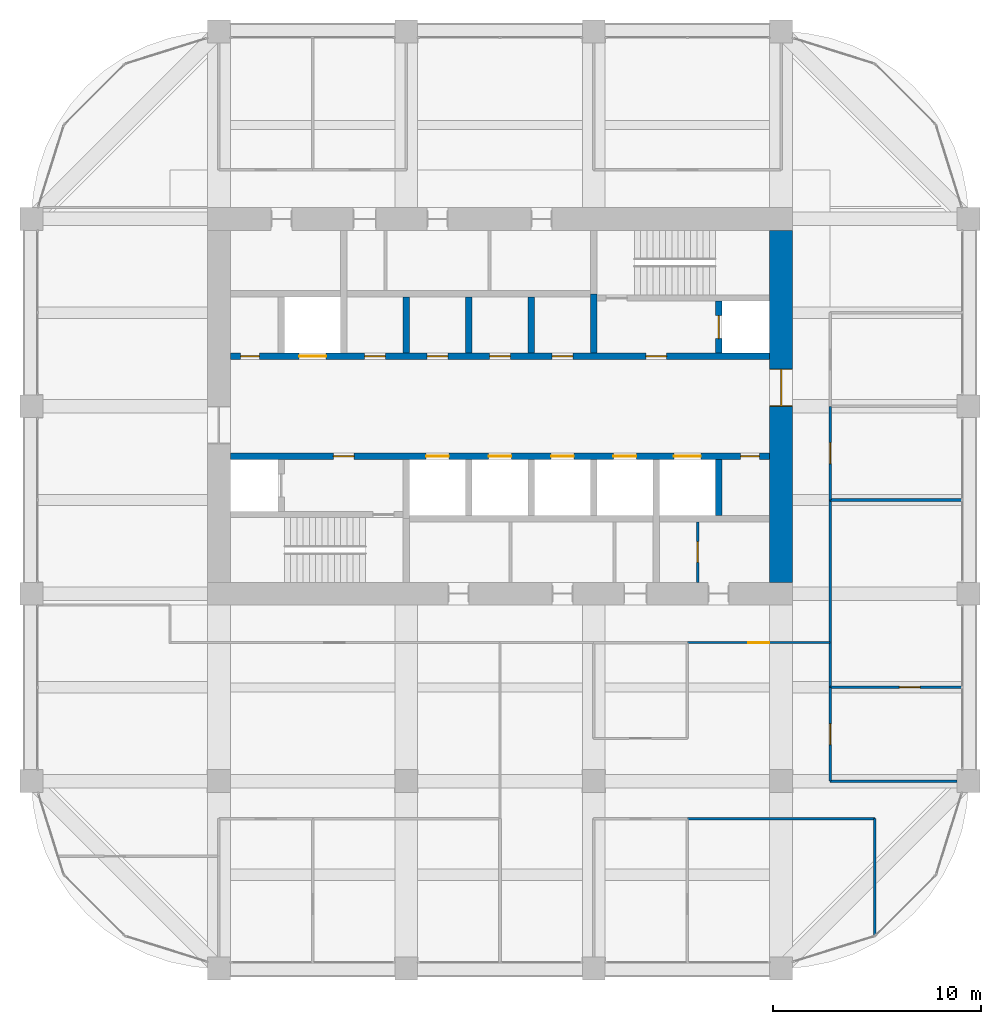
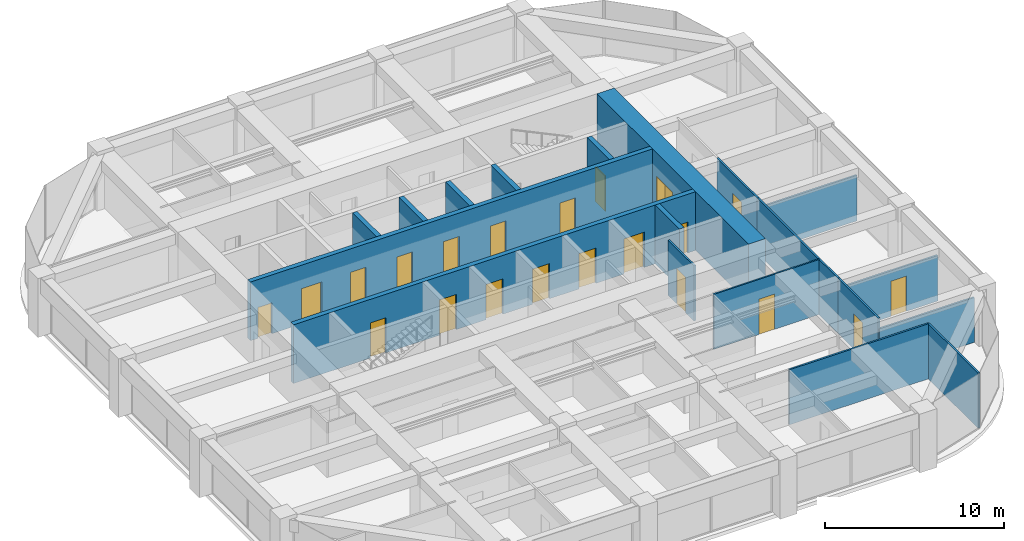
# One storey, part 42 of 44: 21 doors, 19 walls, 21 openings.
"""IFC4 building model written with IfcOpenShell, lengths in metres."""

from ifc_helpers import new_model, si_unit, direction, frame, frame_2d, origin, place, context, subcontext, project, spatial, rectangle, extrude, material, layer, layer_set, type_object, element, fill, save


model = new_model("IFC4")

# Units and contexts
model_context = context("Model", 3, precision=1e-05, world=origin(), true_north=direction((0.0, 1.0)))
body_context = subcontext(model_context, "Body", "Model", "MODEL_VIEW")
ifc_project = project(units=[si_unit("LENGTHUNIT", "METRE"), si_unit("AREAUNIT", "SQUARE_METRE"), si_unit("VOLUMEUNIT", "CUBIC_METRE"), si_unit("PLANEANGLEUNIT", "RADIAN"), si_unit("MASSUNIT", "GRAM", prefix="KILO")], contexts=[model_context])

# Site, building, storey
site_placement = place(None, origin())
site = spatial("IfcSite", under=ifc_project, at=site_placement, CompositionType="ELEMENT")
building_placement = place(site_placement, origin())
building = spatial("IfcBuilding", under=site, at=building_placement, Name="Zorevar Civic Tower", CompositionType="ELEMENT")
storey_placement = place(building_placement, frame((0.0, 0.0, 299.39990234375)))
storey = spatial("IfcBuildingStorey", under=building, at=storey_placement, Name="L73", CompositionType="ELEMENT", Elevation=299.39990234375)

# Wall, opening, door
ifc_material_1 = material(Name="Concrete C50/60", Category="concrete")
ifc_layer_1 = layer(ifc_material_1, 1.10009765625)
ifc_layer_set_1 = layer_set([ifc_layer_1], Name="Core wall 1100")
wall_type_1 = type_object("IfcWallType", Name="Core wall 1100", PredefinedType="SHEAR", material=ifc_layer_set_1)
wall_1_placement = place(storey_placement, frame((45.0, 18.550048828125, 0.0), z_axis=(0.0, 0.0, 1.0), x_axis=(0.0, 1.0, 0.0)))
wall_1 = element("IfcWall", 1, at=wall_1_placement, inside=storey, type_object=wall_type_1, Name="Core wall E L73", PredefinedType="SHEAR", context=body_context, shape_type="SweptSolid", body=[
    extrude(rectangle(XDim=16.89990234375, YDim=1.10009765625, at=frame_2d((8.449951171875, 0.0))), origin(), (0.0, 0.0, 1.0), 4.0),
])
opening_1_placement = place(wall_1_placement, frame((8.449951171875, 0.0, 0.0)))
opening_1 = element("IfcOpeningElement", 2, at=opening_1_placement, cuts=wall_1, Name="Opening L73.02", PredefinedType="OPENING", context=body_context, shape_type="SweptSolid", body=[
    extrude(rectangle(XDim=1.800048828125, YDim=2.39990234375, at=frame_2d((0.89990234375, 1.199951171875))), frame((0.0, 0.56005859375, 0.0), z_axis=(0.0, -1.0, 0.0), x_axis=(1.0, 0.0, 0.0)), (0.0, 0.0, 1.0), 1.1201171875),
])
ifc_material_2 = material(Name="Steel door set", Category="steel")
door_type_1 = type_object("IfcDoorType", Name="Fire door FD2 1800x2400", OperationType="DOUBLE_DOOR_DOUBLE_SWING", PredefinedType="DOOR", material=ifc_material_2)
door_1_placement = place(opening_1_placement, origin())
door_1 = element("IfcDoor", 3, at=door_1_placement, inside=storey, type_object=door_type_1, Name="Door L73 01", OperationType="DOUBLE_DOOR_DOUBLE_SWING", OverallHeight=2.39990234375, OverallWidth=1.800048828125, PredefinedType="DOOR", context=body_context, shape_type="SweptSolid", body=[
    extrude(rectangle(XDim=1.800048828125, YDim=2.39990234375, at=frame_2d((0.89990234375, 1.199951171875))), frame((0.0, 0.030029296875, 0.0), z_axis=(0.0, -1.0, 0.0), x_axis=(1.0, 0.0, 0.0)), (0.0, 0.0, 1.0), 0.06005859375),
    extrude(rectangle(XDim=0.04, YDim=2.39990234375, at=frame_2d((0.02001953125, 1.199951171875))), frame((0.0, 0.5498046875, 0.0), z_axis=(0.0, -1.0, 0.0), x_axis=(1.0, 0.0, 0.0)), (0.0, 0.0, 1.0), 1.099609375),
    extrude(rectangle(XDim=0.04, YDim=2.39990234375, at=frame_2d((1.780029296875, 1.199951171875))), frame((0.0, 0.5498046875, 0.0), z_axis=(0.0, -1.0, 0.0), x_axis=(1.0, 0.0, 0.0)), (0.0, 0.0, 1.0), 1.099609375),
    extrude(rectangle(XDim=1.800048828125, YDim=0.04, at=frame_2d((0.89990234375, 2.3798828125))), frame((0.0, 0.5498046875, 0.0), z_axis=(0.0, -1.0, 0.0), x_axis=(1.0, 0.0, 0.0)), (0.0, 0.0, 1.0), 1.099609375),
])
fill(opening_1, door_1)

ifc_material_3 = material(Name="Laminated glass in black aluminium frame", Category="aluminium")
ifc_layer_2 = layer(ifc_material_3, 0.10009765625)
ifc_layer_set_2 = layer_set([ifc_layer_2], Name="Glazed partition 100")
wall_type_2 = type_object("IfcWallType", Name="Glazed partition 100", PredefinedType="PARTITIONING", material=ifc_layer_set_2)
wall_2_placement = place(storey_placement, frame((40.510009765625, 15.64990234375, 0.0), z_axis=(0.0, 0.0, 1.0), x_axis=(1.0, 0.0, 0.0)))
wall_2 = element("IfcWall", 4, at=wall_2_placement, inside=storey, type_object=wall_type_2, Name="Glazed partition 100 L73", PredefinedType="PARTITIONING", context=body_context, shape_type="SweptSolid", body=[
    extrude(rectangle(XDim=6.830078125, YDim=0.10009765625, at=frame_2d((3.4150390625, 0.0))), origin(), (0.0, 0.0, 1.0), 3.75),
])
opening_2_placement = place(wall_2_placement, frame((2.9150390625, 0.0, 0.0)))
opening_2 = element("IfcOpeningElement", 5, at=opening_2_placement, cuts=wall_2, Name="Opening L73.23", PredefinedType="OPENING", context=body_context, shape_type="SweptSolid", body=[
    extrude(rectangle(XDim=1.0, YDim=2.39990234375, at=frame_2d((0.5, 1.199951171875))), frame((0.0, 0.06005859375, 0.0), z_axis=(0.0, -1.0, 0.0), x_axis=(1.0, 0.0, 0.0)), (0.0, 0.0, 1.0), 0.1201171875),
])
ifc_material_4 = material(Name="Timber door set", Category="wood")
door_type_2 = type_object("IfcDoorType", Name="Glazed door GD1 1000x2400", OperationType="SINGLE_SWING_LEFT", PredefinedType="DOOR", material=ifc_material_4)
door_2_placement = place(opening_2_placement, origin())
door_2 = element("IfcDoor", 6, at=door_2_placement, inside=storey, type_object=door_type_2, Name="Door L73 D1", OperationType="SINGLE_SWING_LEFT", OverallHeight=2.39990234375, OverallWidth=1.0, PredefinedType="DOOR", context=body_context, shape_type="SweptSolid", body=[
    extrude(rectangle(XDim=1.0, YDim=2.39990234375, at=frame_2d((0.5, 1.199951171875))), frame((0.0, 0.02001953125, 0.0), z_axis=(0.0, -1.0, 0.0), x_axis=(1.0, 0.0, 0.0)), (0.0, 0.0, 1.0), 0.0400390625),
])
fill(opening_2, door_2)

ifc_material_5 = material(Name="Concrete C40/50", Category="concrete")
ifc_layer_3 = layer(ifc_material_5, 0.300048828125)
ifc_layer_set_3 = layer_set([ifc_layer_3], Name="Inner core wall 300")
wall_type_3 = type_object("IfcWallType", Name="Inner core wall 300", PredefinedType="SHEAR", material=ifc_layer_set_3)
wall_3_placement = place(storey_placement, frame((42.0, 29.550048828125, 0.0), z_axis=(0.0, 0.0, 1.0), x_axis=(0.0, 1.0, 0.0)))
wall_3 = element("IfcWall", 7, at=wall_3_placement, inside=storey, type_object=wall_type_3, Name="Inner core wall N02 L73", PredefinedType="SHEAR", context=body_context, shape_type="SweptSolid", body=[
    extrude(rectangle(XDim=2.5, YDim=0.300048828125, at=frame_2d((1.25, 0.0))), origin(), (0.0, 0.0, 1.0), 4.0),
])
opening_3_placement = place(wall_3_placement, frame((0.699951171875, 0.0, 0.0)))
opening_3 = element("IfcOpeningElement", 8, at=opening_3_placement, cuts=wall_3, Name="Opening L73.FL2", PredefinedType="OPENING", context=body_context, shape_type="SweptSolid", body=[
    extrude(rectangle(XDim=1.10009765625, YDim=2.39990234375, at=frame_2d((0.550048828125, 1.199951171875))), frame((0.0, 0.159912109375, 0.0), z_axis=(0.0, -1.0, 0.0), x_axis=(1.0, 0.0, 0.0)), (0.0, 0.0, 1.0), 0.320068359375),
])
ifc_material_6 = material(Name="Steel door set", Category="steel")
door_type_3 = type_object("IfcDoorType", Name="Firefighting lift landing door LD3 1100x2400", OperationType="DOUBLE_DOOR_SLIDING", PredefinedType="DOOR", material=ifc_material_6)
door_3_placement = place(opening_3_placement, origin())
door_3 = element("IfcDoor", 9, at=door_3_placement, inside=storey, type_object=door_type_3, Name="Landing door FL2 L73", OperationType="DOUBLE_DOOR_SLIDING", OverallHeight=2.39990234375, OverallWidth=1.10009765625, PredefinedType="DOOR", context=body_context, shape_type="SweptSolid", body=[
    extrude(rectangle(XDim=1.10009765625, YDim=2.39990234375, at=frame_2d((0.550048828125, 1.199951171875))), frame((0.0, 0.030029296875, 0.0), z_axis=(0.0, -1.0, 0.0), x_axis=(1.0, 0.0, 0.0)), (0.0, 0.0, 1.0), 0.06005859375),
])
fill(opening_3, door_3)

# Wall, openings, doors
wall_4_placement = place(storey_placement, frame((18.550048828125, 24.60009765625, 0.0), z_axis=(0.0, 0.0, 1.0), x_axis=(1.0, 0.0, 0.0)))
wall_4 = element("IfcWall", 10, at=wall_4_placement, inside=storey, type_object=wall_type_3, Name="Inner core wall S03 L73", PredefinedType="SHEAR", context=body_context, shape_type="SweptSolid", body=[
    extrude(rectangle(XDim=25.89990234375, YDim=0.300048828125, at=frame_2d((12.949951171875, 0.0))), origin(), (0.0, 0.0, 1.0), 4.0),
])
opening_4_placement = place(wall_4_placement, frame((4.949951171875, 0.0, 0.0)))
opening_4 = element("IfcOpeningElement", 11, at=opening_4_placement, cuts=wall_4, Name="Opening L73.13", PredefinedType="OPENING", context=body_context, shape_type="SweptSolid", body=[
    extrude(rectangle(XDim=1.0, YDim=2.39990234375, at=frame_2d((0.5, 1.199951171875))), frame((0.0, 0.159912109375, 0.0), z_axis=(0.0, -1.0, 0.0), x_axis=(1.0, 0.0, 0.0)), (0.0, 0.0, 1.0), 0.320068359375),
])
opening_5_placement = place(wall_4_placement, frame((24.5, 0.0, 0.0)))
opening_5 = element("IfcOpeningElement", 12, at=opening_5_placement, cuts=wall_4, Name="Opening L73.15", PredefinedType="OPENING", context=body_context, shape_type="SweptSolid", body=[
    extrude(rectangle(XDim=0.89990234375, YDim=2.10009765625, at=frame_2d((0.449951171875, 1.050048828125))), frame((0.0, 0.159912109375, 0.0), z_axis=(0.0, -1.0, 0.0), x_axis=(1.0, 0.0, 0.0)), (0.0, 0.0, 1.0), 0.320068359375),
])
opening_6_placement = place(wall_4_placement, frame((9.39990234375, 0.0, 0.0)))
opening_6 = element("IfcOpeningElement", 13, at=opening_6_placement, cuts=wall_4, Name="Opening L73.LT1", PredefinedType="OPENING", context=body_context, shape_type="SweptSolid", body=[
    extrude(rectangle(XDim=1.10009765625, YDim=2.39990234375, at=frame_2d((0.550048828125, 1.199951171875))), frame((0.0, 0.159912109375, 0.0), z_axis=(0.0, -1.0, 0.0), x_axis=(1.0, 0.0, 0.0)), (0.0, 0.0, 1.0), 0.320068359375),
])
opening_7_placement = place(wall_4_placement, frame((12.39990234375, 0.0, 0.0)))
opening_7 = element("IfcOpeningElement", 14, at=opening_7_placement, cuts=wall_4, Name="Opening L73.LT2", PredefinedType="OPENING", context=body_context, shape_type="SweptSolid", body=[
    extrude(rectangle(XDim=1.10009765625, YDim=2.39990234375, at=frame_2d((0.550048828125, 1.199951171875))), frame((0.0, 0.159912109375, 0.0), z_axis=(0.0, -1.0, 0.0), x_axis=(1.0, 0.0, 0.0)), (0.0, 0.0, 1.0), 0.320068359375),
])
opening_8_placement = place(wall_4_placement, frame((15.39990234375, 0.0, 0.0)))
opening_8 = element("IfcOpeningElement", 15, at=opening_8_placement, cuts=wall_4, Name="Opening L73.LT3", PredefinedType="OPENING", context=body_context, shape_type="SweptSolid", body=[
    extrude(rectangle(XDim=1.10009765625, YDim=2.39990234375, at=frame_2d((0.550048828125, 1.199951171875))), frame((0.0, 0.159912109375, 0.0), z_axis=(0.0, -1.0, 0.0), x_axis=(1.0, 0.0, 0.0)), (0.0, 0.0, 1.0), 0.320068359375),
])
opening_9_placement = place(wall_4_placement, frame((18.39990234375, 0.0, 0.0)))
opening_9 = element("IfcOpeningElement", 16, at=opening_9_placement, cuts=wall_4, Name="Opening L73.LT4", PredefinedType="OPENING", context=body_context, shape_type="SweptSolid", body=[
    extrude(rectangle(XDim=1.10009765625, YDim=2.39990234375, at=frame_2d((0.550048828125, 1.199951171875))), frame((0.0, 0.159912109375, 0.0), z_axis=(0.0, -1.0, 0.0), x_axis=(1.0, 0.0, 0.0)), (0.0, 0.0, 1.0), 0.320068359375),
])
opening_10_placement = place(wall_4_placement, frame((21.300048828125, 0.0, 0.0)))
opening_10 = element("IfcOpeningElement", 17, at=opening_10_placement, cuts=wall_4, Name="Opening L73.SL1", PredefinedType="OPENING", context=body_context, shape_type="SweptSolid", body=[
    extrude(rectangle(XDim=1.300048828125, YDim=2.39990234375, at=frame_2d((0.64990234375, 1.199951171875))), frame((0.0, 0.159912109375, 0.0), z_axis=(0.0, -1.0, 0.0), x_axis=(1.0, 0.0, 0.0)), (0.0, 0.0, 1.0), 0.320068359375),
])
ifc_material_7 = material(Name="Steel door set", Category="steel")
door_type_4 = type_object("IfcDoorType", Name="Fire door FD1 1000x2400", OperationType="SINGLE_SWING_LEFT", PredefinedType="DOOR", material=ifc_material_7)
door_4_placement = place(opening_4_placement, origin())
door_4 = element("IfcDoor", 18, at=door_4_placement, inside=storey, type_object=door_type_4, Name="Door L73 12", OperationType="SINGLE_SWING_RIGHT", OverallHeight=2.39990234375, OverallWidth=1.0, PredefinedType="DOOR", context=body_context, shape_type="SweptSolid", body=[
    extrude(rectangle(XDim=1.0, YDim=2.39990234375, at=frame_2d((0.5, 1.199951171875))), frame((0.0, 0.030029296875, 0.0), z_axis=(0.0, -1.0, 0.0), x_axis=(1.0, 0.0, 0.0)), (0.0, 0.0, 1.0), 0.06005859375),
])
fill(opening_4, door_4)
ifc_material_8 = material(Name="Steel door set", Category="steel")
door_type_5 = type_object("IfcDoorType", Name="Landing door LD1 1100x2400", OperationType="DOUBLE_DOOR_SLIDING", PredefinedType="DOOR", material=ifc_material_8)
door_5_placement = place(opening_6_placement, origin())
door_5 = element("IfcDoor", 19, at=door_5_placement, inside=storey, type_object=door_type_5, Name="Landing door LT1 L73", OperationType="DOUBLE_DOOR_SLIDING", OverallHeight=2.39990234375, OverallWidth=1.10009765625, PredefinedType="DOOR", context=body_context, shape_type="SweptSolid", body=[
    extrude(rectangle(XDim=1.10009765625, YDim=2.39990234375, at=frame_2d((0.550048828125, 1.199951171875))), frame((0.0, 0.02001953125, 0.0), z_axis=(0.0, -1.0, 0.0), x_axis=(1.0, 0.0, 0.0)), (0.0, 0.0, 1.0), 0.0400390625),
])
fill(opening_6, door_5)
door_6_placement = place(opening_7_placement, origin())
door_6 = element("IfcDoor", 20, at=door_6_placement, inside=storey, type_object=door_type_5, Name="Landing door LT2 L73", OperationType="DOUBLE_DOOR_SLIDING", OverallHeight=2.39990234375, OverallWidth=1.10009765625, PredefinedType="DOOR", context=body_context, shape_type="SweptSolid", body=[
    extrude(rectangle(XDim=1.10009765625, YDim=2.39990234375, at=frame_2d((0.550048828125, 1.199951171875))), frame((0.0, 0.02001953125, 0.0), z_axis=(0.0, -1.0, 0.0), x_axis=(1.0, 0.0, 0.0)), (0.0, 0.0, 1.0), 0.0400390625),
])
fill(opening_7, door_6)
door_7_placement = place(opening_8_placement, origin())
door_7 = element("IfcDoor", 21, at=door_7_placement, inside=storey, type_object=door_type_5, Name="Landing door LT3 L73", OperationType="DOUBLE_DOOR_SLIDING", OverallHeight=2.39990234375, OverallWidth=1.10009765625, PredefinedType="DOOR", context=body_context, shape_type="SweptSolid", body=[
    extrude(rectangle(XDim=1.10009765625, YDim=2.39990234375, at=frame_2d((0.550048828125, 1.199951171875))), frame((0.0, 0.02001953125, 0.0), z_axis=(0.0, -1.0, 0.0), x_axis=(1.0, 0.0, 0.0)), (0.0, 0.0, 1.0), 0.0400390625),
])
fill(opening_8, door_7)
door_8_placement = place(opening_9_placement, origin())
door_8 = element("IfcDoor", 22, at=door_8_placement, inside=storey, type_object=door_type_5, Name="Landing door LT4 L73", OperationType="DOUBLE_DOOR_SLIDING", OverallHeight=2.39990234375, OverallWidth=1.10009765625, PredefinedType="DOOR", context=body_context, shape_type="SweptSolid", body=[
    extrude(rectangle(XDim=1.10009765625, YDim=2.39990234375, at=frame_2d((0.550048828125, 1.199951171875))), frame((0.0, 0.02001953125, 0.0), z_axis=(0.0, -1.0, 0.0), x_axis=(1.0, 0.0, 0.0)), (0.0, 0.0, 1.0), 0.0400390625),
])
fill(opening_9, door_8)
ifc_material_9 = material(Name="Steel door set", Category="steel")
door_type_6 = type_object("IfcDoorType", Name="Landing door LD2 1300x2400", OperationType="DOUBLE_DOOR_SLIDING", PredefinedType="DOOR", material=ifc_material_9)
door_9_placement = place(opening_10_placement, origin())
door_9 = element("IfcDoor", 23, at=door_9_placement, inside=storey, type_object=door_type_6, Name="Landing door SL1 L73", OperationType="DOUBLE_DOOR_SLIDING", OverallHeight=2.39990234375, OverallWidth=1.300048828125, PredefinedType="DOOR", context=body_context, shape_type="SweptSolid", body=[
    extrude(rectangle(XDim=1.300048828125, YDim=2.39990234375, at=frame_2d((0.64990234375, 1.199951171875))), frame((0.0, 0.02001953125, 0.0), z_axis=(0.0, -1.0, 0.0), x_axis=(1.0, 0.0, 0.0)), (0.0, 0.0, 1.0), 0.0400390625),
])
fill(opening_10, door_9)
ifc_material_10 = material(Name="Steel door set", Category="steel")
door_type_7 = type_object("IfcDoorType", Name="Riser door RD1 900x2100", OperationType="SINGLE_SWING_LEFT", PredefinedType="DOOR", material=ifc_material_10)
door_10_placement = place(opening_5_placement, origin())
door_10 = element("IfcDoor", 24, at=door_10_placement, inside=storey, type_object=door_type_7, Name="Door L73 14", OperationType="SINGLE_SWING_RIGHT", OverallHeight=2.10009765625, OverallWidth=0.89990234375, PredefinedType="DOOR", context=body_context, shape_type="SweptSolid", body=[
    extrude(rectangle(XDim=0.89990234375, YDim=2.10009765625, at=frame_2d((0.449951171875, 1.050048828125))), frame((0.0, 0.030029296875, 0.0), z_axis=(0.0, -1.0, 0.0), x_axis=(1.0, 0.0, 0.0)), (0.0, 0.0, 1.0), 0.06005859375),
])
fill(opening_5, door_10)

wall_5_placement = place(storey_placement, frame((18.550048828125, 29.39990234375, 0.0), z_axis=(0.0, 0.0, 1.0), x_axis=(1.0, 0.0, 0.0)))
wall_5 = element("IfcWall", 25, at=wall_5_placement, inside=storey, type_object=wall_type_3, Name="Inner core wall N03 L73", PredefinedType="SHEAR", context=body_context, shape_type="SweptSolid", body=[
    extrude(rectangle(XDim=25.89990234375, YDim=0.300048828125, at=frame_2d((12.949951171875, 0.0))), origin(), (0.0, 0.0, 1.0), 4.0),
])
opening_11_placement = place(wall_5_placement, frame((19.949951171875, 0.0, 0.0)))
opening_11 = element("IfcOpeningElement", 26, at=opening_11_placement, cuts=wall_5, Name="Opening L73.14", PredefinedType="OPENING", context=body_context, shape_type="SweptSolid", body=[
    extrude(rectangle(XDim=1.0, YDim=2.39990234375, at=frame_2d((0.5, 1.199951171875))), frame((0.0, 0.159912109375, 0.0), z_axis=(0.0, -1.0, 0.0), x_axis=(1.0, 0.0, 0.0)), (0.0, 0.0, 1.0), 0.320068359375),
])
opening_12_placement = place(wall_5_placement, frame((0.5, 0.0, 0.0)))
opening_12 = element("IfcOpeningElement", 27, at=opening_12_placement, cuts=wall_5, Name="Opening L73.16", PredefinedType="OPENING", context=body_context, shape_type="SweptSolid", body=[
    extrude(rectangle(XDim=0.89990234375, YDim=2.10009765625, at=frame_2d((0.449951171875, 1.050048828125))), frame((0.0, 0.159912109375, 0.0), z_axis=(0.0, -1.0, 0.0), x_axis=(1.0, 0.0, 0.0)), (0.0, 0.0, 1.0), 0.320068359375),
])
opening_13_placement = place(wall_5_placement, frame((15.449951171875, 0.0, 0.0)))
opening_13 = element("IfcOpeningElement", 28, at=opening_13_placement, cuts=wall_5, Name="Opening L73.33", PredefinedType="OPENING", context=body_context, shape_type="SweptSolid", body=[
    extrude(rectangle(XDim=1.0, YDim=2.39990234375, at=frame_2d((0.5, 1.199951171875))), frame((0.0, 0.159912109375, 0.0), z_axis=(0.0, -1.0, 0.0), x_axis=(1.0, 0.0, 0.0)), (0.0, 0.0, 1.0), 0.320068359375),
])
opening_14_placement = place(wall_5_placement, frame((12.449951171875, 0.0, 0.0)))
opening_14 = element("IfcOpeningElement", 29, at=opening_14_placement, cuts=wall_5, Name="Opening L73.34", PredefinedType="OPENING", context=body_context, shape_type="SweptSolid", body=[
    extrude(rectangle(XDim=1.0, YDim=2.39990234375, at=frame_2d((0.5, 1.199951171875))), frame((0.0, 0.159912109375, 0.0), z_axis=(0.0, -1.0, 0.0), x_axis=(1.0, 0.0, 0.0)), (0.0, 0.0, 1.0), 0.320068359375),
])
opening_15_placement = place(wall_5_placement, frame((9.449951171875, 0.0, 0.0)))
opening_15 = element("IfcOpeningElement", 30, at=opening_15_placement, cuts=wall_5, Name="Opening L73.35", PredefinedType="OPENING", context=body_context, shape_type="SweptSolid", body=[
    extrude(rectangle(XDim=1.0, YDim=2.39990234375, at=frame_2d((0.5, 1.199951171875))), frame((0.0, 0.159912109375, 0.0), z_axis=(0.0, -1.0, 0.0), x_axis=(1.0, 0.0, 0.0)), (0.0, 0.0, 1.0), 0.320068359375),
])
opening_16_placement = place(wall_5_placement, frame((6.449951171875, 0.0, 0.0)))
opening_16 = element("IfcOpeningElement", 31, at=opening_16_placement, cuts=wall_5, Name="Opening L73.36", PredefinedType="OPENING", context=body_context, shape_type="SweptSolid", body=[
    extrude(rectangle(XDim=1.0, YDim=2.39990234375, at=frame_2d((0.5, 1.199951171875))), frame((0.0, 0.159912109375, 0.0), z_axis=(0.0, -1.0, 0.0), x_axis=(1.0, 0.0, 0.0)), (0.0, 0.0, 1.0), 0.320068359375),
])
opening_17_placement = place(wall_5_placement, frame((3.300048828125, 0.0, 0.0)))
opening_17 = element("IfcOpeningElement", 32, at=opening_17_placement, cuts=wall_5, Name="Opening L73.SL2", PredefinedType="OPENING", context=body_context, shape_type="SweptSolid", body=[
    extrude(rectangle(XDim=1.300048828125, YDim=2.39990234375, at=frame_2d((0.64990234375, 1.199951171875))), frame((0.0, 0.159912109375, 0.0), z_axis=(0.0, -1.0, 0.0), x_axis=(1.0, 0.0, 0.0)), (0.0, 0.0, 1.0), 0.320068359375),
])
door_11_placement = place(opening_11_placement, origin())
door_11 = element("IfcDoor", 33, at=door_11_placement, inside=storey, type_object=door_type_4, Name="Door L73 13", OperationType="SINGLE_SWING_RIGHT", OverallHeight=2.39990234375, OverallWidth=1.0, PredefinedType="DOOR", context=body_context, shape_type="SweptSolid", body=[
    extrude(rectangle(XDim=1.0, YDim=2.39990234375, at=frame_2d((0.5, 1.199951171875))), frame((0.0, 0.030029296875, 0.0), z_axis=(0.0, -1.0, 0.0), x_axis=(1.0, 0.0, 0.0)), (0.0, 0.0, 1.0), 0.06005859375),
])
fill(opening_11, door_11)
door_12_placement = place(opening_13_placement, origin())
door_12 = element("IfcDoor", 34, at=door_12_placement, inside=storey, type_object=door_type_4, Name="Door L73 LM1 shaft room", OperationType="SINGLE_SWING_LEFT", OverallHeight=2.39990234375, OverallWidth=1.0, PredefinedType="DOOR", context=body_context, shape_type="SweptSolid", body=[
    extrude(rectangle(XDim=1.0, YDim=2.39990234375, at=frame_2d((0.5, 1.199951171875))), frame((0.0, 0.030029296875, 0.0), z_axis=(0.0, -1.0, 0.0), x_axis=(1.0, 0.0, 0.0)), (0.0, 0.0, 1.0), 0.06005859375),
])
fill(opening_13, door_12)
door_13_placement = place(opening_14_placement, origin())
door_13 = element("IfcDoor", 35, at=door_13_placement, inside=storey, type_object=door_type_4, Name="Door L73 LM2 shaft room", OperationType="SINGLE_SWING_RIGHT", OverallHeight=2.39990234375, OverallWidth=1.0, PredefinedType="DOOR", context=body_context, shape_type="SweptSolid", body=[
    extrude(rectangle(XDim=1.0, YDim=2.39990234375, at=frame_2d((0.5, 1.199951171875))), frame((0.0, 0.030029296875, 0.0), z_axis=(0.0, -1.0, 0.0), x_axis=(1.0, 0.0, 0.0)), (0.0, 0.0, 1.0), 0.06005859375),
])
fill(opening_14, door_13)
door_14_placement = place(opening_15_placement, origin())
door_14 = element("IfcDoor", 36, at=door_14_placement, inside=storey, type_object=door_type_4, Name="Door L73 LH1 shaft room", OperationType="SINGLE_SWING_RIGHT", OverallHeight=2.39990234375, OverallWidth=1.0, PredefinedType="DOOR", context=body_context, shape_type="SweptSolid", body=[
    extrude(rectangle(XDim=1.0, YDim=2.39990234375, at=frame_2d((0.5, 1.199951171875))), frame((0.0, 0.030029296875, 0.0), z_axis=(0.0, -1.0, 0.0), x_axis=(1.0, 0.0, 0.0)), (0.0, 0.0, 1.0), 0.06005859375),
])
fill(opening_15, door_14)
door_15_placement = place(opening_16_placement, origin())
door_15 = element("IfcDoor", 37, at=door_15_placement, inside=storey, type_object=door_type_4, Name="Door L73 LH2 shaft room", OperationType="SINGLE_SWING_RIGHT", OverallHeight=2.39990234375, OverallWidth=1.0, PredefinedType="DOOR", context=body_context, shape_type="SweptSolid", body=[
    extrude(rectangle(XDim=1.0, YDim=2.39990234375, at=frame_2d((0.5, 1.199951171875))), frame((0.0, 0.030029296875, 0.0), z_axis=(0.0, -1.0, 0.0), x_axis=(1.0, 0.0, 0.0)), (0.0, 0.0, 1.0), 0.06005859375),
])
fill(opening_16, door_15)
door_16_placement = place(opening_17_placement, origin())
door_16 = element("IfcDoor", 38, at=door_16_placement, inside=storey, type_object=door_type_6, Name="Landing door SL2 L73", OperationType="DOUBLE_DOOR_SLIDING", OverallHeight=2.39990234375, OverallWidth=1.300048828125, PredefinedType="DOOR", context=body_context, shape_type="SweptSolid", body=[
    extrude(rectangle(XDim=1.300048828125, YDim=2.39990234375, at=frame_2d((0.64990234375, 1.199951171875))), frame((0.0, 0.02001953125, 0.0), z_axis=(0.0, -1.0, 0.0), x_axis=(1.0, 0.0, 0.0)), (0.0, 0.0, 1.0), 0.0400390625),
])
fill(opening_17, door_16)
door_17_placement = place(opening_12_placement, origin())
door_17 = element("IfcDoor", 39, at=door_17_placement, inside=storey, type_object=door_type_7, Name="Door L73 15", OperationType="SINGLE_SWING_RIGHT", OverallHeight=2.10009765625, OverallWidth=0.89990234375, PredefinedType="DOOR", context=body_context, shape_type="SweptSolid", body=[
    extrude(rectangle(XDim=0.89990234375, YDim=2.10009765625, at=frame_2d((0.449951171875, 1.050048828125))), frame((0.0, 0.030029296875, 0.0), z_axis=(0.0, -1.0, 0.0), x_axis=(1.0, 0.0, 0.0)), (0.0, 0.0, 1.0), 0.06005859375),
])
fill(opening_12, door_17)

# Walls
for number, where, z_axis, x_axis, name in (
    (40, (33.0, 29.550048828125, 0.0), (0.0, 0.0, 1.0), (0.0, 1.0, 0.0), "Inner core wall N05 L73"),
    (41, (30.0, 29.550048828125, 0.0), (0.0, 0.0, 1.0), (0.0, 1.0, 0.0), "Inner core wall N06 L73"),
    (42, (27.0, 29.550048828125, 0.0), (0.0, 0.0, 1.0), (0.0, 1.0, 0.0), "Inner core wall N07 L73"),
    (43, (42.0, 21.75, 0.0), (0.0, 0.0, 1.0), (0.0, 1.0, 0.0), "Inner core wall S09 L73"),
):
    element("IfcWall", number, at=place(storey_placement, frame(where, z_axis=z_axis, x_axis=x_axis)), inside=storey, type_object=wall_type_3, Name=name, PredefinedType="SHEAR", context=body_context, shape_type="SweptSolid", body=[
        extrude(rectangle(XDim=2.699951171875, YDim=0.300048828125, at=frame_2d((1.35009765625, 0.0))), origin(), (0.0, 0.0, 1.0), 4.0),
    ])
wall_6_placement = place(storey_placement, frame((36.0, 29.550048828125, 0.0), z_axis=(0.0, 0.0, 1.0), x_axis=(0.0, 1.0, 0.0)))
element("IfcWall", 44, at=wall_6_placement, inside=storey, type_object=wall_type_3, Name="Inner core wall N10 L73", PredefinedType="SHEAR", context=body_context, shape_type="SweptSolid", body=[
    extrude(rectangle(XDim=2.849853515625, YDim=0.300048828125, at=frame_2d((1.4248046875, 0.0))), origin(), (0.0, 0.0, 1.0), 4.0),
])
ifc_material_11 = material(Name="Gypsum board on steel studs", Category="steel")
ifc_layer_4 = layer(ifc_material_11, 0.1201171875)
ifc_layer_set_4 = layer_set([ifc_layer_4], Name="Partition 120")
wall_type_4 = type_object("IfcWallType", Name="Partition 120", PredefinedType="PARTITIONING", material=ifc_layer_set_4)
wall_7_placement = place(storey_placement, frame((40.5, 7.199951171875, 0.0), z_axis=(0.0, 0.0, 1.0), x_axis=(1.0, 0.0, 0.0)))
element("IfcWall", 45, at=wall_7_placement, inside=storey, type_object=wall_type_4, Name="Partition 120 L73", PredefinedType="PARTITIONING", context=body_context, shape_type="SweptSolid", body=[
    extrude(rectangle(XDim=9.0, YDim=0.1201171875, at=frame_2d((4.5, 0.0))), origin(), (0.0, 0.0, 1.0), 3.75),
])
wall_8_placement = place(storey_placement, frame((47.35009765625, 9.0, 0.0), z_axis=(0.0, 0.0, 1.0), x_axis=(1.0, 0.0, 0.0)))
element("IfcWall", 46, at=wall_8_placement, inside=storey, type_object=wall_type_4, Name="Partition 120 L73", PredefinedType="PARTITIONING", context=body_context, shape_type="SweptSolid", body=[
    extrude(rectangle(XDim=6.099853515625, YDim=0.1201171875, at=frame_2d((3.0498046875, 0.0))), origin(), (0.0, 0.0, 1.0), 3.050048828125),
])

# Wall, opening, door
wall_9_placement = place(storey_placement, frame((47.35009765625, 13.5, 0.0), z_axis=(0.0, 0.0, 1.0), x_axis=(1.0, 0.0, 0.0)))
wall_9 = element("IfcWall", 47, at=wall_9_placement, inside=storey, type_object=wall_type_4, Name="Partition 120 L73", PredefinedType="PARTITIONING", context=body_context, shape_type="SweptSolid", body=[
    extrude(rectangle(XDim=6.33984375, YDim=0.1201171875, at=frame_2d((3.169921875, 0.0))), origin(), (0.0, 0.0, 1.0), 3.10009765625),
])
opening_18_placement = place(wall_9_placement, frame((3.324951171875, 0.0, 0.0)))
opening_18 = element("IfcOpeningElement", 48, at=opening_18_placement, cuts=wall_9, Name="Opening L73.21", PredefinedType="OPENING", context=body_context, shape_type="SweptSolid", body=[
    extrude(rectangle(XDim=1.0, YDim=2.39990234375, at=frame_2d((0.5, 1.199951171875))), frame((0.0, 0.070068359375, 0.0), z_axis=(0.0, -1.0, 0.0), x_axis=(1.0, 0.0, 0.0)), (0.0, 0.0, 1.0), 0.14013671875),
])
ifc_material_12 = material(Name="Timber door set", Category="wood")
door_type_8 = type_object("IfcDoorType", Name="Door D1 1000x2400", OperationType="SINGLE_SWING_LEFT", PredefinedType="DOOR", material=ifc_material_12)
door_18_placement = place(opening_18_placement, origin())
door_18 = element("IfcDoor", 49, at=door_18_placement, inside=storey, type_object=door_type_8, Name="Door L73 D1", OperationType="SINGLE_SWING_LEFT", OverallHeight=2.39990234375, OverallWidth=1.0, PredefinedType="DOOR", context=body_context, shape_type="SweptSolid", body=[
    extrude(rectangle(XDim=1.0, YDim=2.39990234375, at=frame_2d((0.5, 1.199951171875))), frame((0.0, 0.02490234375, 0.0), z_axis=(0.0, -1.0, 0.0), x_axis=(1.0, 0.0, 0.0)), (0.0, 0.0, 1.0), 0.050048828125),
])
fill(opening_18, door_18)

# Wall
wall_10_placement = place(storey_placement, frame((47.35009765625, 22.5, 0.0), z_axis=(0.0, 0.0, 1.0), x_axis=(1.0, 0.0, 0.0)))
element("IfcWall", 50, at=wall_10_placement, inside=storey, type_object=wall_type_4, Name="Partition 120 L73", PredefinedType="PARTITIONING", context=body_context, shape_type="SweptSolid", body=[
    extrude(rectangle(XDim=6.33984375, YDim=0.1201171875, at=frame_2d((3.169921875, 0.0))), origin(), (0.0, 0.0, 1.0), 3.10009765625),
])

# Wall, opening, door
wall_11_placement = place(storey_placement, frame((47.35009765625, 9.0, 0.0), z_axis=(0.0, 0.0, 1.0), x_axis=(0.0, 1.0, 0.0)))
wall_11 = element("IfcWall", 51, at=wall_11_placement, inside=storey, type_object=wall_type_4, Name="Partition 120 L73", PredefinedType="PARTITIONING", context=body_context, shape_type="SweptSolid", body=[
    extrude(rectangle(XDim=4.5, YDim=0.1201171875, at=frame_2d((2.25, 0.0))), origin(), (0.0, 0.0, 1.0), 3.75),
])
opening_19_placement = place(wall_11_placement, frame((1.75, 0.0, 0.0)))
opening_19 = element("IfcOpeningElement", 52, at=opening_19_placement, cuts=wall_11, Name="Opening L73.29", PredefinedType="OPENING", context=body_context, shape_type="SweptSolid", body=[
    extrude(rectangle(XDim=1.0, YDim=2.39990234375, at=frame_2d((0.5, 1.199951171875))), frame((0.0, 0.070068359375, 0.0), z_axis=(0.0, -1.0, 0.0), x_axis=(1.0, 0.0, 0.0)), (0.0, 0.0, 1.0), 0.14013671875),
])
door_19_placement = place(opening_19_placement, origin())
door_19 = element("IfcDoor", 53, at=door_19_placement, inside=storey, type_object=door_type_8, Name="Door L73 D1", OperationType="SINGLE_SWING_RIGHT", OverallHeight=2.39990234375, OverallWidth=1.0, PredefinedType="DOOR", context=body_context, shape_type="SweptSolid", body=[
    extrude(rectangle(XDim=1.0, YDim=2.39990234375, at=frame_2d((0.5, 1.199951171875))), frame((0.0, 0.02490234375, 0.0), z_axis=(0.0, -1.0, 0.0), x_axis=(1.0, 0.0, 0.0)), (0.0, 0.0, 1.0), 0.050048828125),
])
fill(opening_19, door_19)

# Wall
wall_12_placement = place(storey_placement, frame((47.35009765625, 13.5, 0.0), z_axis=(0.0, 0.0, 1.0), x_axis=(0.0, 1.0, 0.0)))
element("IfcWall", 54, at=wall_12_placement, inside=storey, type_object=wall_type_4, Name="Partition 120 L73", PredefinedType="PARTITIONING", context=body_context, shape_type="SweptSolid", body=[
    extrude(rectangle(XDim=9.0, YDim=0.1201171875, at=frame_2d((4.5, 0.0))), origin(), (0.0, 0.0, 1.0), 3.75),
])

# Wall, opening, door
wall_13_placement = place(storey_placement, frame((47.35009765625, 22.5, 0.0), z_axis=(0.0, 0.0, 1.0), x_axis=(0.0, 1.0, 0.0)))
wall_13 = element("IfcWall", 55, at=wall_13_placement, inside=storey, type_object=wall_type_4, Name="Partition 120 L73", PredefinedType="PARTITIONING", context=body_context, shape_type="SweptSolid", body=[
    extrude(rectangle(XDim=4.5, YDim=0.1201171875, at=frame_2d((2.25, 0.0))), origin(), (0.0, 0.0, 1.0), 3.75),
])
opening_20_placement = place(wall_13_placement, frame((1.75, 0.0, 0.0)))
opening_20 = element("IfcOpeningElement", 56, at=opening_20_placement, cuts=wall_13, Name="Opening L73.30", PredefinedType="OPENING", context=body_context, shape_type="SweptSolid", body=[
    extrude(rectangle(XDim=1.0, YDim=2.39990234375, at=frame_2d((0.5, 1.199951171875))), frame((0.0, 0.070068359375, 0.0), z_axis=(0.0, -1.0, 0.0), x_axis=(1.0, 0.0, 0.0)), (0.0, 0.0, 1.0), 0.14013671875),
])
door_20_placement = place(opening_20_placement, origin())
door_20 = element("IfcDoor", 57, at=door_20_placement, inside=storey, type_object=door_type_8, Name="Door L73 D1", OperationType="SINGLE_SWING_RIGHT", OverallHeight=2.39990234375, OverallWidth=1.0, PredefinedType="DOOR", context=body_context, shape_type="SweptSolid", body=[
    extrude(rectangle(XDim=1.0, YDim=2.39990234375, at=frame_2d((0.5, 1.199951171875))), frame((0.0, 0.02490234375, 0.0), z_axis=(0.0, -1.0, 0.0), x_axis=(1.0, 0.0, 0.0)), (0.0, 0.0, 1.0), 0.050048828125),
])
fill(opening_20, door_20)

# Wall
wall_14_placement = place(storey_placement, frame((49.5, 1.59228515625, 0.0), z_axis=(0.0, 0.0, 1.0), x_axis=(0.0, 1.0, 0.0)))
element("IfcWall", 58, at=wall_14_placement, inside=storey, type_object=wall_type_4, Name="Partition 120 L73", PredefinedType="PARTITIONING", context=body_context, shape_type="SweptSolid", body=[
    extrude(rectangle(XDim=5.607666015625, YDim=0.1201171875, at=frame_2d((2.8037109375, 0.0))), origin(), (0.0, 0.0, 1.0), 3.75),
])

# Wall, opening, door
wall_15_placement = place(storey_placement, frame((41.0, 18.550048828125, 0.0), z_axis=(0.0, 0.0, 1.0), x_axis=(0.0, 1.0, 0.0)))
wall_15 = element("IfcWall", 59, at=wall_15_placement, inside=storey, type_object=wall_type_4, Name="Partition L73", PredefinedType="PARTITIONING", context=body_context, shape_type="SweptSolid", body=[
    extrude(rectangle(XDim=2.89990234375, YDim=0.1201171875, at=frame_2d((1.449951171875, 0.0))), origin(), (0.0, 0.0, 1.0), 3.75),
])
opening_21_placement = place(wall_15_placement, frame((0.949951171875, 0.0, 0.0)))
opening_21 = element("IfcOpeningElement", 60, at=opening_21_placement, cuts=wall_15, Name="Opening L73.32", PredefinedType="OPENING", context=body_context, shape_type="SweptSolid", body=[
    extrude(rectangle(XDim=1.0, YDim=2.39990234375, at=frame_2d((0.5, 1.199951171875))), frame((0.0, 0.070068359375, 0.0), z_axis=(0.0, -1.0, 0.0), x_axis=(1.0, 0.0, 0.0)), (0.0, 0.0, 1.0), 0.14013671875),
])
door_21_placement = place(opening_21_placement, origin())
door_21 = element("IfcDoor", 61, at=door_21_placement, inside=storey, type_object=door_type_4, Name="Door L73 ES", OperationType="SINGLE_SWING_RIGHT", OverallHeight=2.39990234375, OverallWidth=1.0, PredefinedType="DOOR", context=body_context, shape_type="SweptSolid", body=[
    extrude(rectangle(XDim=1.0, YDim=2.39990234375, at=frame_2d((0.5, 1.199951171875))), frame((0.0, 0.030029296875, 0.0), z_axis=(0.0, -1.0, 0.0), x_axis=(1.0, 0.0, 0.0)), (0.0, 0.0, 1.0), 0.06005859375),
])
fill(opening_21, door_21)

save(model, "model.ifc")
